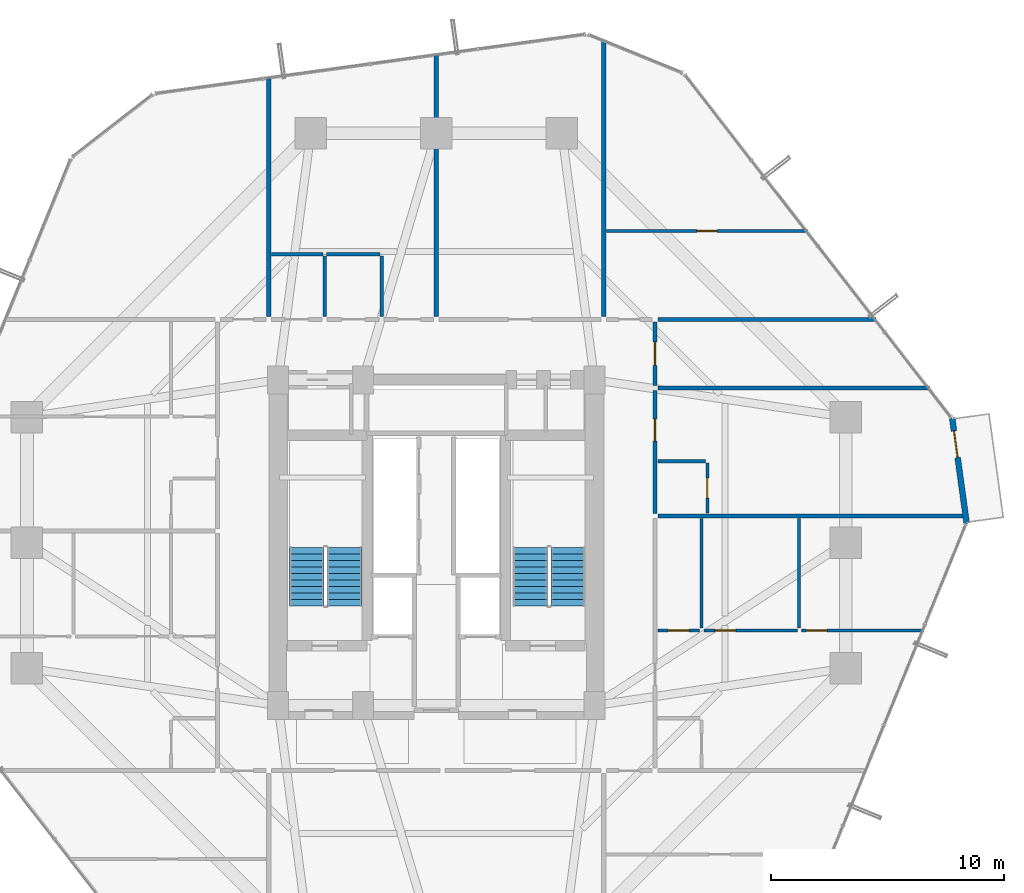
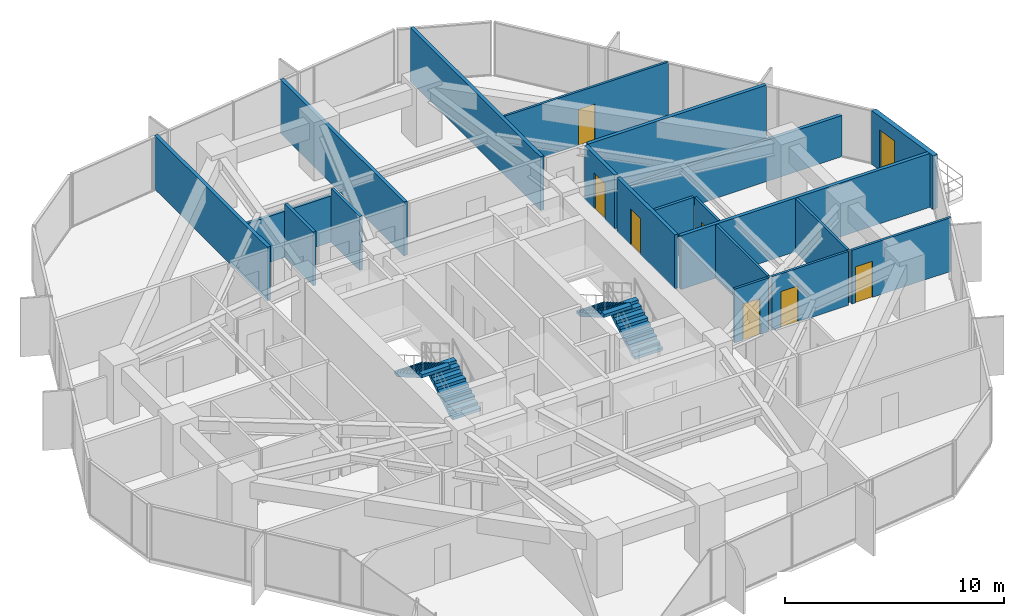
# One storey, part 35 of 37: 21 walls, 8 doors, 4 stair flights, 8 openings, 2 elements without a shape of their own.
"""IFC4 building model written with IfcOpenShell, lengths in metres."""

from ifc_helpers import new_model, si_unit, direction, frame, frame_2d, origin, place, context, subcontext, project, spatial, polyline, rectangle, outline, extrude, source, transform, mapped, material, layer, layer_set, type_object, element, fill, aggregate, save


model = new_model("IFC4")

# Units and contexts
model_context = context("Model", 3, precision=1e-05, world=origin(), true_north=direction((0.0, 1.0)))
body_context = subcontext(model_context, "Body", "Model", "MODEL_VIEW")
ifc_project = project(units=[si_unit("LENGTHUNIT", "METRE"), si_unit("AREAUNIT", "SQUARE_METRE"), si_unit("VOLUMEUNIT", "CUBIC_METRE"), si_unit("PLANEANGLEUNIT", "RADIAN"), si_unit("MASSUNIT", "GRAM", prefix="KILO")], contexts=[model_context])

# Site, building, storey
site_placement = place(None, origin())
site = spatial("IfcSite", under=ifc_project, at=site_placement, CompositionType="ELEMENT")
building_placement = place(site_placement, origin())
building = spatial("IfcBuilding", under=site, at=building_placement, Name="Veraguas Prism Commons", CompositionType="ELEMENT")
storey_placement = place(building_placement, frame((0.0, 0.0, 50.050048828125)))
storey = spatial("IfcBuildingStorey", under=building, at=storey_placement, Name="L13", CompositionType="ELEMENT", Elevation=50.050048828125)

# Walls
ifc_material_1 = material(Name="Autoclaved aerated masonry block 10 MPa", Category="masonry")
ifc_layer_1 = layer(ifc_material_1, 0.179931640625, Name="Corridor and Inter-Tenancy Partition 180", Category="masonry")
ifc_layer_set_1 = layer_set([ifc_layer_1], Name="Autoclaved aerated masonry block 10 MPa")
wall_type_1 = type_object("IfcWallType", Name="Corridor and Inter-Tenancy Partition 180", PredefinedType="PARTITIONING", material=ifc_layer_set_1)
wall_1_placement = place(storey_placement, frame((16.800048828125, 33.719970703125, 0.0), z_axis=(0.0, 0.0, 1.0), x_axis=(0.0, 1.0, 0.0)))
element("IfcWall", 1, at=wall_1_placement, inside=storey, type_object=wall_type_1, Name="WL-L13-PT005", PredefinedType="PARTITIONING", context=body_context, shape_type="SweptSolid", body=[
    extrude(rectangle(XDim=10.299560546875, YDim=0.179931640625, at=frame_2d((5.14990234375, 0.0))), origin(), (0.0, 0.0, 1.0), 3.0),
])
wall_2_placement = place(storey_placement, frame((31.199951171875, 33.719970703125, 0.0), z_axis=(0.0, 0.0, 1.0), x_axis=(0.0, 1.0, 0.0)))
element("IfcWall", 2, at=wall_2_placement, inside=storey, type_object=wall_type_1, Name="WL-L13-PT006", PredefinedType="PARTITIONING", context=body_context, shape_type="SweptSolid", body=[
    extrude(rectangle(XDim=11.8916015625, YDim=0.179931640625, at=frame_2d((5.94580078125, 0.0))), origin(), (0.0, 0.0, 1.0), 3.0),
])
wall_3_placement = place(storey_placement, frame((24.0, 33.719970703125, 0.0), z_axis=(0.0, 0.0, 1.0), x_axis=(0.0, 1.0, 0.0)))
element("IfcWall", 3, at=wall_3_placement, inside=storey, type_object=wall_type_1, Name="WL-L13-PT015", PredefinedType="PARTITIONING", context=body_context, shape_type="SweptSolid", body=[
    extrude(rectangle(XDim=11.291015625, YDim=0.179931640625, at=frame_2d((5.6455078125, 0.0))), origin(), (0.0, 0.0, 1.0), 3.0),
])
wall_4_placement = place(storey_placement, frame((33.52001953125, 33.60009765625, 0.0), z_axis=(0.0, 0.0, 1.0), x_axis=(1.0, 0.0, 0.0)))
element("IfcWall", 4, at=wall_4_placement, inside=storey, type_object=wall_type_1, Name="WL-L13-PT034", PredefinedType="PARTITIONING", context=body_context, shape_type="SweptSolid", body=[
    extrude(rectangle(XDim=9.37939453125, YDim=0.179931640625, at=frame_2d((4.689697265625, 0.0))), origin(), (0.0, 0.0, 1.0), 3.0),
])
wall_5_placement = place(storey_placement, frame((33.52001953125, 25.152099609375, 0.0), z_axis=(0.0, 0.0, 1.0), x_axis=(1.0, 0.0, 0.0)))
element("IfcWall", 5, at=wall_5_placement, inside=storey, type_object=wall_type_1, Name="WL-L13-PT043", PredefinedType="PARTITIONING", context=body_context, shape_type="SweptSolid", body=[
    extrude(rectangle(XDim=13.266845703125, YDim=0.179931640625, at=frame_2d((6.63330078125, 0.0))), origin(), (0.0, 0.0, 1.0), 3.0),
])

# Wall, opening, door
wall_6_placement = place(storey_placement, frame((33.39990234375, 30.760009765625, 0.0), z_axis=(0.0, 0.0, 1.0), x_axis=(0.0, 1.0, 0.0)))
wall_6 = element("IfcWall", 6, at=wall_6_placement, inside=storey, type_object=wall_type_1, Name="WL-L13-PT044", PredefinedType="PARTITIONING", context=body_context, shape_type="SweptSolid", body=[
    extrude(rectangle(XDim=2.72998046875, YDim=0.179931640625, at=frame_2d((1.364990234375, 0.0))), origin(), (0.0, 0.0, 1.0), 3.0),
])
opening_1_placement = place(wall_6_placement, frame((0.864990234375, 0.0, 0.0)))
opening_1 = element("IfcOpeningElement", 7, at=opening_1_placement, cuts=wall_6, Name="Opening DR-13", PredefinedType="OPENING", context=body_context, shape_type="SweptSolid", body=[
    extrude(rectangle(XDim=1.0, YDim=2.010009765625, at=frame_2d((0.5, 1.0048828125))), frame((0.0, 0.099853515625, 0.0), z_axis=(0.0, -1.0, 0.0), x_axis=(1.0, 0.0, 0.0)), (0.0, 0.0, 1.0), 0.199951171875),
])
ifc_material_2 = material(Name="Steel fire-rated door assembly", Category="steel")
door_type_1 = type_object("IfcDoorType", Name="Core Accessible WC and Clinic Fire Door 1000x2010", OperationType="NOTDEFINED", PredefinedType="DOOR", material=ifc_material_2)
shared_shape_1 = source(origin(), body_context, "Body", "SweptSolid", [
    extrude(rectangle(XDim=1.0, YDim=2.010009765625, at=frame_2d((0.5, 1.0048828125))), frame((0.0, 0.02490234375, 0.0), z_axis=(0.0, -1.0, 0.0), x_axis=(1.0, 0.0, 0.0)), (0.0, 0.0, 1.0), 0.050048828125),
])
door_1_placement = place(opening_1_placement, origin())
door_1 = element("IfcDoor", 8, at=door_1_placement, inside=storey, type_object=door_type_1, Name="Quiet Study E Door", OperationType="SINGLE_SWING_LEFT", OverallHeight=2.010009765625, OverallWidth=1.0, PredefinedType="DOOR", context=body_context, shape_type="MappedRepresentation", body=[
    mapped(shared_shape_1, transform((0.0, 0.0, 0.0), scale=1.0)),
])
fill(opening_1, door_1)

# Wall
wall_7_placement = place(storey_placement, frame((33.52001953125, 30.64990234375, 0.0), z_axis=(0.0, 0.0, 1.0), x_axis=(1.0, 0.0, 0.0)))
element("IfcWall", 9, at=wall_7_placement, inside=storey, type_object=wall_type_1, Name="WL-L13-PT045", PredefinedType="PARTITIONING", context=body_context, shape_type="SweptSolid", body=[
    extrude(rectangle(XDim=11.6708984375, YDim=0.179931640625, at=frame_2d((5.83544921875, 0.0))), origin(), (0.0, 0.0, 1.0), 2.299072265625),
])

# Wall, opening, door
wall_8_placement = place(storey_placement, frame((33.39990234375, 25.261962890625, 0.0), z_axis=(0.0, 0.0, 1.0), x_axis=(0.0, 1.0, 0.0)))
wall_8 = element("IfcWall", 10, at=wall_8_placement, inside=storey, type_object=wall_type_1, Name="WL-L13-PT046", PredefinedType="PARTITIONING", context=body_context, shape_type="SweptSolid", body=[
    extrude(rectangle(XDim=5.278076171875, YDim=0.179931640625, at=frame_2d((2.63916015625, 0.0))), origin(), (0.0, 0.0, 1.0), 3.0),
])
opening_2_placement = place(wall_8_placement, frame((3.106689453125, 0.0, 0.0)))
opening_2 = element("IfcOpeningElement", 11, at=opening_2_placement, cuts=wall_8, Name="Opening DR-01", PredefinedType="OPENING", context=body_context, shape_type="SweptSolid", body=[
    extrude(rectangle(XDim=0.949951171875, YDim=2.02001953125, at=frame_2d((0.47509765625, 1.010009765625))), frame((0.0, 0.099853515625, 0.0), z_axis=(0.0, -1.0, 0.0), x_axis=(1.0, 0.0, 0.0)), (0.0, 0.0, 1.0), 0.199951171875),
])
ifc_material_3 = material(Name="Anodised aluminium EN AW-6063 T6", Category="aluminium")
door_type_2 = type_object("IfcDoorType", Name="Apartment Entrance Fire Door 950x2020", OperationType="NOTDEFINED", PredefinedType="DOOR", material=ifc_material_3)
shared_shape_2 = source(origin(), body_context, "Body", "SweptSolid", [
    extrude(rectangle(XDim=0.949951171875, YDim=2.02001953125, at=frame_2d((0.47509765625, 1.010009765625))), frame((0.0, 0.02490234375, 0.0), z_axis=(0.0, -1.0, 0.0), x_axis=(1.0, 0.0, 0.0)), (0.0, 0.0, 1.0), 0.050048828125),
])
door_2_placement = place(opening_2_placement, origin())
door_2 = element("IfcDoor", 12, at=door_2_placement, inside=storey, type_object=door_type_2, Name="Studio 13D Entrance Door", OperationType="SINGLE_SWING_RIGHT", OverallHeight=2.02001953125, OverallWidth=0.949951171875, PredefinedType="DOOR", context=body_context, shape_type="MappedRepresentation", body=[
    mapped(shared_shape_2, transform((0.0, 0.0, 0.0), scale=1.0)),
])
fill(opening_2, door_2)

ifc_material_4 = material(Name="Precast concrete C40/50", Category="concrete")
ifc_layer_2 = layer(ifc_material_4, 0.25, Name="External Loggia and Portal Wall 250", Category="concrete")
ifc_layer_set_2 = layer_set([ifc_layer_2], Name="Precast concrete C40/50")
wall_type_2 = type_object("IfcWallType", Name="External Loggia and Portal Wall 250", PredefinedType="SOLIDWALL", material=ifc_layer_set_2)
wall_9_placement = place(storey_placement, frame((46.80126953125, 24.827880859375, 0.0), z_axis=(0.0, 0.0, 1.0), x_axis=(-0.136411912987, 0.990652204356, 0.0)))
wall_9 = element("IfcWall", 13, at=wall_9_placement, inside=storey, type_object=wall_type_2, Name="Corner Loggia Wall L13-C1", PredefinedType="SOLIDWALL", context=body_context, shape_type="SweptSolid", body=[
    extrude(rectangle(XDim=4.579833984375, YDim=0.25, at=frame_2d((2.2900390625, 0.0))), origin(), (0.0, 0.0, 1.0), 3.0),
])
opening_3_placement = place(wall_9_placement, frame((2.860107421875, 0.0, 0.0)))
opening_3 = element("IfcOpeningElement", 14, at=opening_3_placement, cuts=wall_9, Name="Opening DR-10", PredefinedType="OPENING", context=body_context, shape_type="SweptSolid", body=[
    extrude(rectangle(XDim=1.14990234375, YDim=2.25, at=frame_2d((0.574951171875, 1.125))), frame((0.0, 0.135009765625, 0.0), z_axis=(0.0, -1.0, 0.0), x_axis=(1.0, 0.0, 0.0)), (0.0, 0.0, 1.0), 0.27001953125),
])
door_type_3 = type_object("IfcDoorType", Name="Glazed Loggia and Terrace Door 1150x2250", OperationType="NOTDEFINED", PredefinedType="DOOR", material=ifc_material_3)
shared_shape_3 = source(origin(), body_context, "Body", "SweptSolid", [
    extrude(rectangle(XDim=1.14990234375, YDim=2.25, at=frame_2d((0.574951171875, 1.125))), frame((0.0, 0.02490234375, 0.0), z_axis=(0.0, -1.0, 0.0), x_axis=(1.0, 0.0, 0.0)), (0.0, 0.0, 1.0), 0.050048828125),
])
door_3_placement = place(opening_3_placement, frame((1.14990234375, 0.0, 0.0), z_axis=(0.0, 0.0, 1.0), x_axis=(-1.0, 0.0, 0.0)))
door_3 = element("IfcDoor", 15, at=door_3_placement, inside=storey, type_object=door_type_3, Name="Recessed Loggia Door L13-C1", OperationType="SINGLE_SWING_LEFT", OverallHeight=2.25, OverallWidth=1.14990234375, PredefinedType="DOOR", context=body_context, shape_type="MappedRepresentation", body=[
    mapped(shared_shape_3, transform((0.0, 0.0, 0.0), scale=1.0)),
])
fill(opening_3, door_3)

ifc_material_5 = material(Name="Lightweight acoustic gypsum board")
ifc_layer_3 = layer(ifc_material_5, 0.125, Name="Internal Apartment Room Partition 125")
ifc_layer_set_3 = layer_set([ifc_layer_3], Name="Lightweight acoustic gypsum board")
wall_type_3 = type_object("IfcWallType", Name="Internal Apartment Room Partition 125", PredefinedType="PARTITIONING", material=ifc_layer_set_3)
wall_10_placement = place(storey_placement, frame((33.52001953125, 20.22412109375, 0.0), z_axis=(0.0, 0.0, 1.0), x_axis=(1.0, 0.0, 0.0)))
wall_10 = element("IfcWall", 16, at=wall_10_placement, inside=storey, type_object=wall_type_3, Name="WL-L13-PT038", PredefinedType="PARTITIONING", context=body_context, shape_type="SweptSolid", body=[
    extrude(rectangle(XDim=1.800048828125, YDim=0.125, at=frame_2d((0.89990234375, 0.0))), origin(), (0.0, 0.0, 1.0), 3.0),
])
opening_4_placement = place(wall_10_placement, frame((0.449951171875, 0.0, 0.0)))
opening_4 = element("IfcOpeningElement", 17, at=opening_4_placement, cuts=wall_10, Name="Opening DR-02", PredefinedType="OPENING", context=body_context, shape_type="SweptSolid", body=[
    extrude(rectangle(XDim=0.89990234375, YDim=2.010009765625, at=frame_2d((0.449951171875, 1.0048828125))), frame((0.0, 0.072509765625, 0.0), z_axis=(0.0, -1.0, 0.0), x_axis=(1.0, 0.0, 0.0)), (0.0, 0.0, 1.0), 0.14501953125),
])
ifc_material_6 = material(Name="Timber solid core hardwood", Category="wood")
door_type_4 = type_object("IfcDoorType", Name="Internal Habitable Room Door 900x2010", OperationType="NOTDEFINED", PredefinedType="DOOR", material=ifc_material_6)
shared_shape_4 = source(origin(), body_context, "Body", "SweptSolid", [
    extrude(rectangle(XDim=0.89990234375, YDim=2.010009765625, at=frame_2d((0.449951171875, 1.0048828125))), frame((0.0, 0.02490234375, 0.0), z_axis=(0.0, -1.0, 0.0), x_axis=(1.0, 0.0, 0.0)), (0.0, 0.0, 1.0), 0.050048828125),
])
door_4_placement = place(opening_4_placement, origin())
door_4 = element("IfcDoor", 18, at=door_4_placement, inside=storey, type_object=door_type_4, Name="Flat 13C Kitchen Door", OperationType="SINGLE_SWING_RIGHT", OverallHeight=2.010009765625, OverallWidth=0.89990234375, PredefinedType="DOOR", context=body_context, shape_type="MappedRepresentation", body=[
    mapped(shared_shape_4, transform((0.0, 0.0, 0.0), scale=1.0)),
])
fill(opening_4, door_4)

# Walls
for number, where, z_axis, x_axis, name in (
    (19, (35.39990234375, 20.323974609375, 0.0), (0.0, 0.0, 1.0), (0.0, 1.0, 0.0), "WL-L13-PT039"),
    (20, (39.60009765625, 20.323974609375, 0.0), (0.0, 0.0, 1.0), (0.0, 1.0, 0.0), "WL-L13-PT040"),
):
    element("IfcWall", number, at=place(storey_placement, frame(where, z_axis=z_axis, x_axis=x_axis)), inside=storey, type_object=wall_type_3, Name=name, PredefinedType="PARTITIONING", context=body_context, shape_type="SweptSolid", body=[
        extrude(rectangle(XDim=4.7080078125, YDim=0.125, at=frame_2d((2.35400390625, 0.0))), origin(), (0.0, 0.0, 1.0), 3.0),
    ])

# Wall, opening, door
wall_11_placement = place(storey_placement, frame((35.5, 20.22412109375, 0.0), z_axis=(0.0, 0.0, 1.0), x_axis=(1.0, 0.0, 0.0)))
wall_11 = element("IfcWall", 21, at=wall_11_placement, inside=storey, type_object=wall_type_3, Name="WL-L13-PT041", PredefinedType="PARTITIONING", context=body_context, shape_type="SweptSolid", body=[
    extrude(rectangle(XDim=4.02001953125, YDim=0.125, at=frame_2d((2.010009765625, 0.0))), origin(), (0.0, 0.0, 1.0), 3.0),
])
opening_5_placement = place(wall_11_placement, frame((0.471923828125, 0.0, 0.0)))
opening_5 = element("IfcOpeningElement", 22, at=opening_5_placement, cuts=wall_11, Name="Opening DR-02", PredefinedType="OPENING", context=body_context, shape_type="SweptSolid", body=[
    extrude(rectangle(XDim=0.89990234375, YDim=2.010009765625, at=frame_2d((0.449951171875, 1.0048828125))), frame((0.0, 0.072509765625, 0.0), z_axis=(0.0, -1.0, 0.0), x_axis=(1.0, 0.0, 0.0)), (0.0, 0.0, 1.0), 0.14501953125),
])
door_5_placement = place(opening_5_placement, origin())
door_5 = element("IfcDoor", 23, at=door_5_placement, inside=storey, type_object=door_type_4, Name="Flat 13C Bedroom 1 Door", OperationType="SINGLE_SWING_LEFT", OverallHeight=2.010009765625, OverallWidth=0.89990234375, PredefinedType="DOOR", context=body_context, shape_type="MappedRepresentation", body=[
    mapped(shared_shape_4, transform((0.0, 0.0, 0.0), scale=1.0)),
])
fill(opening_5, door_5)

wall_12_placement = place(storey_placement, frame((39.699951171875, 20.22412109375, 0.0), z_axis=(0.0, 0.0, 1.0), x_axis=(1.0, 0.0, 0.0)))
wall_12 = element("IfcWall", 24, at=wall_12_placement, inside=storey, type_object=wall_type_3, Name="WL-L13-PT042", PredefinedType="PARTITIONING", context=body_context, shape_type="SweptSolid", body=[
    extrude(rectangle(XDim=5.237060546875, YDim=0.125, at=frame_2d((2.61865234375, 0.0))), origin(), (0.0, 0.0, 1.0), 3.0),
])
opening_6_placement = place(wall_12_placement, frame((0.199951171875, 0.0, 0.0)))
opening_6 = element("IfcOpeningElement", 25, at=opening_6_placement, cuts=wall_12, Name="Opening DR-02", PredefinedType="OPENING", context=body_context, shape_type="SweptSolid", body=[
    extrude(rectangle(XDim=0.89990234375, YDim=2.010009765625, at=frame_2d((0.449951171875, 1.0048828125))), frame((0.0, 0.072509765625, 0.0), z_axis=(0.0, -1.0, 0.0), x_axis=(1.0, 0.0, 0.0)), (0.0, 0.0, 1.0), 0.14501953125),
])
door_6_placement = place(opening_6_placement, origin())
door_6 = element("IfcDoor", 26, at=door_6_placement, inside=storey, type_object=door_type_4, Name="Flat 13C Bedroom 2 Door", OperationType="SINGLE_SWING_RIGHT", OverallHeight=2.010009765625, OverallWidth=0.89990234375, PredefinedType="DOOR", context=body_context, shape_type="MappedRepresentation", body=[
    mapped(shared_shape_4, transform((0.0, 0.0, 0.0), scale=1.0)),
])
fill(opening_6, door_6)

wall_13_placement = place(storey_placement, frame((35.64990234375, 25.27197265625, 0.0), z_axis=(0.0, 0.0, 1.0), x_axis=(0.0, 1.0, 0.0)))
wall_13 = element("IfcWall", 27, at=wall_13_placement, inside=storey, type_object=wall_type_3, Name="WL-L13-PT048", PredefinedType="PARTITIONING", context=body_context, shape_type="SweptSolid", body=[
    extrude(rectangle(XDim=2.150146484375, YDim=0.125, at=frame_2d((1.0751953125, 0.0))), origin(), (0.0, 0.0, 1.0), 3.0),
])
opening_7_placement = place(wall_13_placement, frame((0.64501953125, 0.0, 0.0)))
opening_7 = element("IfcOpeningElement", 28, at=opening_7_placement, cuts=wall_13, Name="Opening DR-03", PredefinedType="OPENING", context=body_context, shape_type="SweptSolid", body=[
    extrude(rectangle(XDim=0.860107421875, YDim=2.010009765625, at=frame_2d((0.43017578125, 1.0048828125))), frame((0.0, 0.072509765625, 0.0), z_axis=(0.0, -1.0, 0.0), x_axis=(1.0, 0.0, 0.0)), (0.0, 0.0, 1.0), 0.14501953125),
])
ifc_material_7 = material(Name="Timber moisture-resistant leaf", Category="wood")
door_type_5 = type_object("IfcDoorType", Name="Internal Bathroom Door 860x2010", OperationType="NOTDEFINED", PredefinedType="DOOR", material=ifc_material_7)
shared_shape_5 = source(origin(), body_context, "Body", "SweptSolid", [
    extrude(rectangle(XDim=0.860107421875, YDim=2.010009765625, at=frame_2d((0.43017578125, 1.0048828125))), frame((0.0, 0.02490234375, 0.0), z_axis=(0.0, -1.0, 0.0), x_axis=(1.0, 0.0, 0.0)), (0.0, 0.0, 1.0), 0.050048828125),
])
door_7_placement = place(opening_7_placement, origin())
door_7 = element("IfcDoor", 29, at=door_7_placement, inside=storey, type_object=door_type_5, Name="Studio 13D Bathroom Door", OperationType="SINGLE_SWING_LEFT", OverallHeight=2.010009765625, OverallWidth=0.860107421875, PredefinedType="DOOR", context=body_context, shape_type="MappedRepresentation", body=[
    mapped(shared_shape_5, transform((0.0, 0.0, 0.0), scale=1.0)),
])
fill(opening_7, door_7)

wall_14_placement = place(storey_placement, frame((31.320068359375, 37.39990234375, 0.0), z_axis=(0.0, 0.0, 1.0), x_axis=(1.0, 0.0, 0.0)))
wall_14 = element("IfcWall", 30, at=wall_14_placement, inside=storey, type_object=wall_type_3, Name="WL-L13-PT055", PredefinedType="PARTITIONING", context=body_context, shape_type="SweptSolid", body=[
    extrude(rectangle(XDim=8.62744140625, YDim=0.125, at=frame_2d((4.313720703125, 0.0))), origin(), (0.0, 0.0, 1.0), 3.0),
])
opening_8_placement = place(wall_14_placement, frame((3.8837890625, 0.0, 0.0)))
opening_8 = element("IfcOpeningElement", 31, at=opening_8_placement, cuts=wall_14, Name="Opening DR-03", PredefinedType="OPENING", context=body_context, shape_type="SweptSolid", body=[
    extrude(rectangle(XDim=0.860107421875, YDim=2.010009765625, at=frame_2d((0.43017578125, 1.0048828125))), frame((0.0, 0.072509765625, 0.0), z_axis=(0.0, -1.0, 0.0), x_axis=(1.0, 0.0, 0.0)), (0.0, 0.0, 1.0), 0.14501953125),
])
door_8_placement = place(opening_8_placement, origin())
door_8 = element("IfcDoor", 32, at=door_8_placement, inside=storey, type_object=door_type_5, Name="Corner Store NE Door", OperationType="SINGLE_SWING_RIGHT", OverallHeight=2.010009765625, OverallWidth=0.860107421875, PredefinedType="DOOR", context=body_context, shape_type="MappedRepresentation", body=[
    mapped(shared_shape_5, transform((0.0, 0.0, 0.0), scale=1.0)),
])
fill(opening_8, door_8)

# Walls
ifc_layer_4 = layer(ifc_material_5, 0.14990234375, Name="Wet Room and Clinic Acoustic Partition 150")
ifc_layer_set_4 = layer_set([ifc_layer_4], Name="Lightweight acoustic gypsum board")
wall_type_4 = type_object("IfcWallType", Name="Wet Room and Clinic Acoustic Partition 150", PredefinedType="PARTITIONING", material=ifc_layer_set_4)
for number, where, z_axis, x_axis, name in (
    (33, (19.199951171875, 33.719970703125, 0.0), (0.0, 0.0, 1.0), (0.0, 1.0, 0.0), "WL-L13-PT011"),
    (34, (21.64990234375, 33.719970703125, 0.0), (0.0, 0.0, 1.0), (0.0, 1.0, 0.0), "WL-L13-PT012"),
):
    element("IfcWall", number, at=place(storey_placement, frame(where, z_axis=z_axis, x_axis=x_axis)), inside=storey, type_object=wall_type_4, Name=name, PredefinedType="PARTITIONING", context=body_context, shape_type="SweptSolid", body=[
        extrude(rectangle(XDim=2.60009765625, YDim=0.14990234375, at=frame_2d((1.300048828125, 0.0))), origin(), (0.0, 0.0, 1.0), 3.0),
    ])
wall_15_placement = place(storey_placement, frame((16.919921875, 36.39990234375, 0.0), z_axis=(0.0, 0.0, 1.0), x_axis=(1.0, 0.0, 0.0)))
element("IfcWall", 35, at=wall_15_placement, inside=storey, type_object=wall_type_4, Name="WL-L13-PT013", PredefinedType="PARTITIONING", context=body_context, shape_type="SweptSolid", body=[
    extrude(rectangle(XDim=2.2001953125, YDim=0.14990234375, at=frame_2d((1.10009765625, 0.0))), origin(), (0.0, 0.0, 1.0), 2.579833984375),
])
wall_16_placement = place(storey_placement, frame((19.280029296875, 36.39990234375, 0.0), z_axis=(0.0, 0.0, 1.0), x_axis=(1.0, 0.0, 0.0)))
element("IfcWall", 36, at=wall_16_placement, inside=storey, type_object=wall_type_4, Name="WL-L13-PT014", PredefinedType="PARTITIONING", context=body_context, shape_type="SweptSolid", body=[
    extrude(rectangle(XDim=2.2900390625, YDim=0.14990234375, at=frame_2d((1.14501953125, 0.0))), origin(), (0.0, 0.0, 1.0), 2.579833984375),
])
wall_17_placement = place(storey_placement, frame((33.52001953125, 27.501953125, 0.0), z_axis=(0.0, 0.0, 1.0), x_axis=(1.0, 0.0, 0.0)))
element("IfcWall", 37, at=wall_17_placement, inside=storey, type_object=wall_type_4, Name="WL-L13-PT047", PredefinedType="PARTITIONING", context=body_context, shape_type="SweptSolid", body=[
    extrude(rectangle(XDim=2.050048828125, YDim=0.14990234375, at=frame_2d((1.02490234375, 0.0))), origin(), (0.0, 0.0, 1.0), 3.0),
])

# Stair, stair flights
ifc_material_8 = material(Name="Precast concrete C45/55", Category="concrete")
stair_type = type_object("IfcStairType", Name="Dogleg Core Stair 1480W 20R 05", PredefinedType="HALF_TURN_STAIR", material=ifc_material_8)
stair_1_placement = place(storey_placement, origin())
stair_1 = element("IfcStair", 38, at=stair_1_placement, inside=storey, type_object=stair_type, Name="Protected Exit Stair ST-01 L13", PredefinedType="HALF_TURN_STAIR")
stair_flight_type = type_object("IfcStairFlightType", Name="Precast Stair Flight 1480W 10R 05", PredefinedType="STRAIGHT", material=ifc_material_8)
stair_flight_1_placement = place(storey_placement, frame((20.06005859375, 21.280029296875, 0.0), z_axis=(0.0, 0.0, 1.0), x_axis=(0.0, 1.0, 0.0)))
stair_flight_1 = element("IfcStairFlight", 39, at=stair_flight_1_placement, type_object=stair_flight_type, Name="ST-05 Flight 1", NumberOfRisers=10, NumberOfTreads=9, PredefinedType="STRAIGHT", RiserHeight=0.1625, TreadLength=0.28, context=body_context, shape_type="SweptSolid", body=[
    extrude(outline(polyline([(0.0, 0.0), (0.0, 0.16259765625), (0.280029296875, 0.16259765625), (0.280029296875, 0.324951171875), (0.56005859375, 0.324951171875), (0.56005859375, 0.487548828125), (0.840087890625, 0.487548828125), (0.840087890625, 0.64990234375), (1.1201171875, 0.64990234375), (1.1201171875, 0.8125), (1.39990234375, 0.8125), (1.39990234375, 0.97509765625), (1.679931640625, 0.97509765625), (1.679931640625, 1.137451171875), (1.9599609375, 1.137451171875), (1.9599609375, 1.300048828125), (2.239990234375, 1.300048828125), (2.239990234375, 1.46240234375), (2.52001953125, 1.46240234375), (2.52001953125, 1.625), (2.52001953125, 1.2890625), (0.298583984375, 0.0), (0.0, 0.0)])), frame((0.0, 0.739990234375, 0.0), z_axis=(0.0, -1.0, 0.0), x_axis=(1.0, 0.0, 0.0)), (0.0, 0.0, 1.0), 1.47998046875),
])
stair_flight_2_placement = place(storey_placement, frame((18.429931640625, 23.800048828125, 1.625), z_axis=(0.0, 0.0, 1.0), x_axis=(0.0, -1.0, 0.0)))
stair_flight_2 = element("IfcStairFlight", 40, at=stair_flight_2_placement, type_object=stair_flight_type, Name="ST-05 Flight 2", NumberOfRisers=10, NumberOfTreads=9, PredefinedType="STRAIGHT", RiserHeight=0.1625, TreadLength=0.28, context=body_context, shape_type="SweptSolid", body=[
    extrude(outline(polyline([(0.0, 0.0), (0.0, 0.16259765625), (0.280029296875, 0.16259765625), (0.280029296875, 0.324951171875), (0.56005859375, 0.324951171875), (0.56005859375, 0.487548828125), (0.840087890625, 0.487548828125), (0.840087890625, 0.64990234375), (1.1201171875, 0.64990234375), (1.1201171875, 0.8125), (1.39990234375, 0.8125), (1.39990234375, 0.97509765625), (1.679931640625, 0.97509765625), (1.679931640625, 1.137451171875), (1.9599609375, 1.137451171875), (1.9599609375, 1.300048828125), (2.239990234375, 1.300048828125), (2.239990234375, 1.46240234375), (2.52001953125, 1.46240234375), (2.52001953125, 1.625), (2.52001953125, 1.2890625), (0.298583984375, 0.0), (0.0, 0.0)])), frame((0.0, 0.739990234375, 0.0), z_axis=(0.0, -1.0, 0.0), x_axis=(1.0, 0.0, 0.0)), (0.0, 0.0, 1.0), 1.47998046875),
])
aggregate(stair_1, [stair_flight_1, stair_flight_2])

stair_2_placement = place(storey_placement, origin())
stair_2 = element("IfcStair", 41, at=stair_2_placement, inside=storey, type_object=stair_type, Name="Protected Exit Stair ST-02 L13", PredefinedType="HALF_TURN_STAIR")
stair_flight_3_placement = place(storey_placement, frame((29.659912109375, 21.280029296875, 0.0), z_axis=(0.0, 0.0, 1.0), x_axis=(0.0, 1.0, 0.0)))
stair_flight_3 = element("IfcStairFlight", 42, at=stair_flight_3_placement, type_object=stair_flight_type, Name="ST-05 Flight 1", NumberOfRisers=10, NumberOfTreads=9, PredefinedType="STRAIGHT", RiserHeight=0.1625, TreadLength=0.28, context=body_context, shape_type="SweptSolid", body=[
    extrude(outline(polyline([(0.0, 0.0), (0.0, 0.16259765625), (0.280029296875, 0.16259765625), (0.280029296875, 0.324951171875), (0.56005859375, 0.324951171875), (0.56005859375, 0.487548828125), (0.840087890625, 0.487548828125), (0.840087890625, 0.64990234375), (1.1201171875, 0.64990234375), (1.1201171875, 0.8125), (1.39990234375, 0.8125), (1.39990234375, 0.97509765625), (1.679931640625, 0.97509765625), (1.679931640625, 1.137451171875), (1.9599609375, 1.137451171875), (1.9599609375, 1.300048828125), (2.239990234375, 1.300048828125), (2.239990234375, 1.46240234375), (2.52001953125, 1.46240234375), (2.52001953125, 1.625), (2.52001953125, 1.2890625), (0.298583984375, 0.0), (0.0, 0.0)])), frame((0.0, 0.739990234375, 0.0), z_axis=(0.0, -1.0, 0.0), x_axis=(1.0, 0.0, 0.0)), (0.0, 0.0, 1.0), 1.47998046875),
])
stair_flight_4_placement = place(storey_placement, frame((28.030029296875, 23.800048828125, 1.625), z_axis=(0.0, 0.0, 1.0), x_axis=(0.0, -1.0, 0.0)))
stair_flight_4 = element("IfcStairFlight", 43, at=stair_flight_4_placement, type_object=stair_flight_type, Name="ST-05 Flight 2", NumberOfRisers=10, NumberOfTreads=9, PredefinedType="STRAIGHT", RiserHeight=0.1625, TreadLength=0.28, context=body_context, shape_type="SweptSolid", body=[
    extrude(outline(polyline([(0.0, 0.0), (0.0, 0.16259765625), (0.280029296875, 0.16259765625), (0.280029296875, 0.324951171875), (0.56005859375, 0.324951171875), (0.56005859375, 0.487548828125), (0.840087890625, 0.487548828125), (0.840087890625, 0.64990234375), (1.1201171875, 0.64990234375), (1.1201171875, 0.8125), (1.39990234375, 0.8125), (1.39990234375, 0.97509765625), (1.679931640625, 0.97509765625), (1.679931640625, 1.137451171875), (1.9599609375, 1.137451171875), (1.9599609375, 1.300048828125), (2.239990234375, 1.300048828125), (2.239990234375, 1.46240234375), (2.52001953125, 1.46240234375), (2.52001953125, 1.625), (2.52001953125, 1.2890625), (0.298583984375, 0.0), (0.0, 0.0)])), frame((0.0, 0.739990234375, 0.0), z_axis=(0.0, -1.0, 0.0), x_axis=(1.0, 0.0, 0.0)), (0.0, 0.0, 1.0), 1.47998046875),
])
aggregate(stair_2, [stair_flight_3, stair_flight_4])

save(model, "model.ifc")
